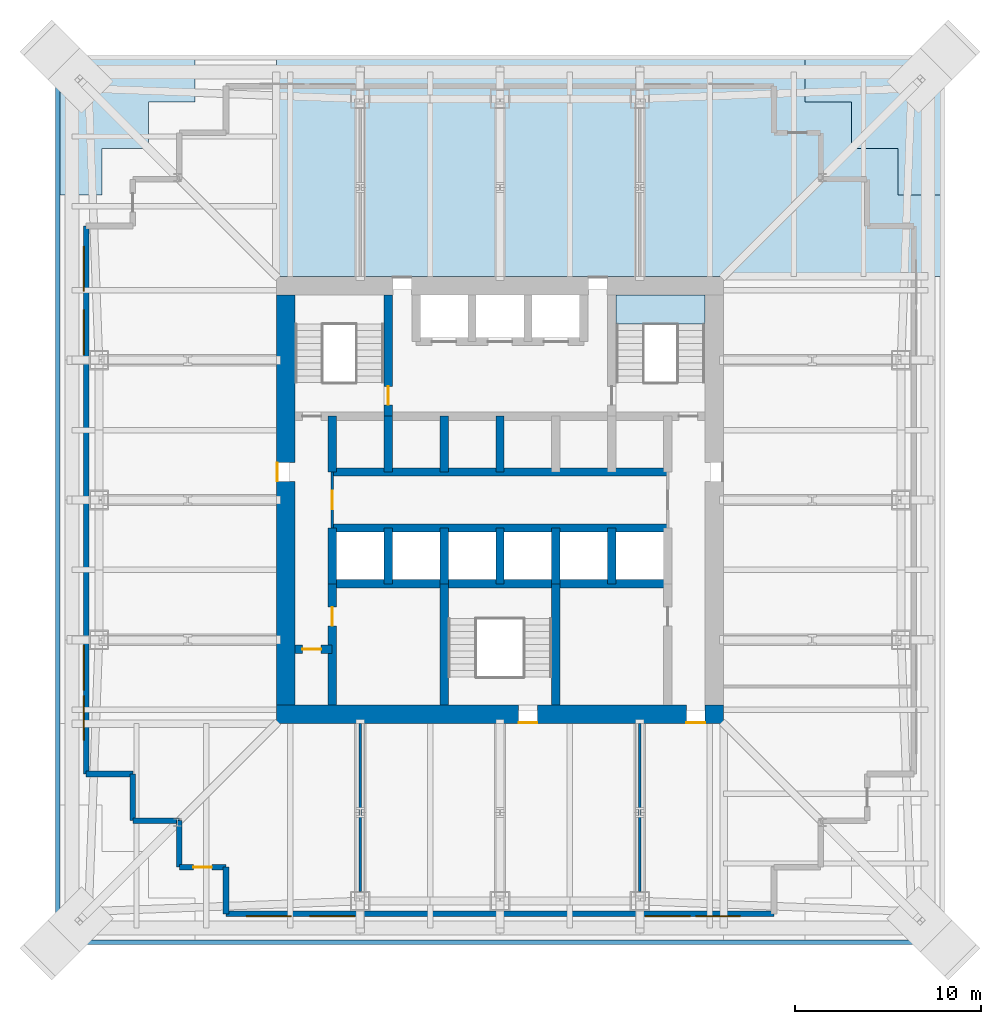
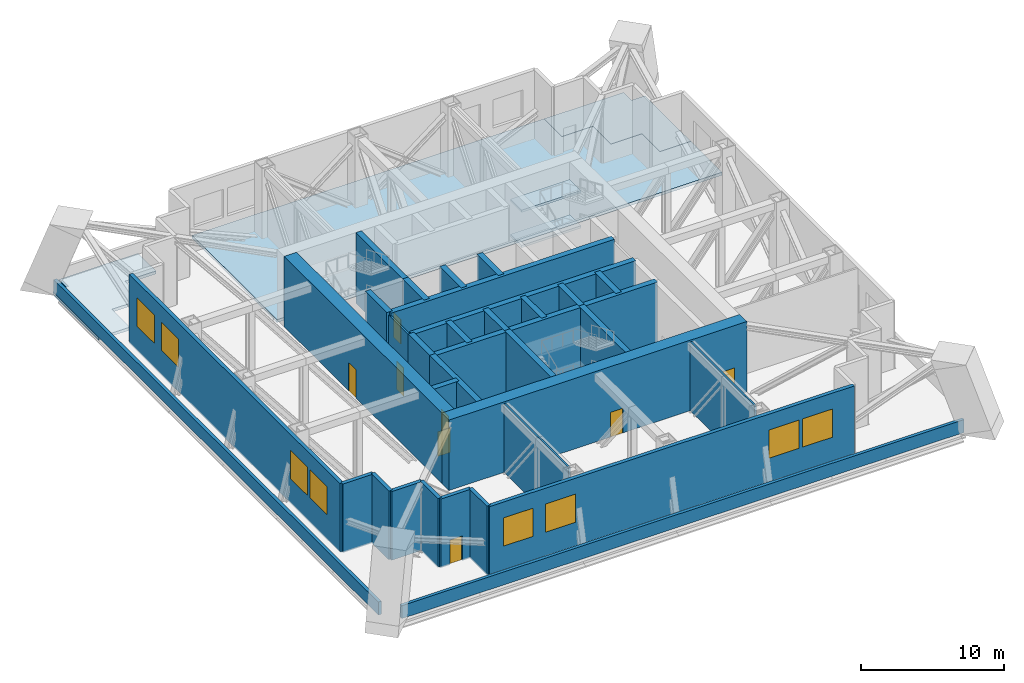
# One storey, part 5 of 8: 33 walls, 8 doors, 8 windows, 5 slabs, 16 openings, 1 element without a shape of its own.
"""IFC4 building model written with IfcOpenShell, lengths in metres."""

from ifc_helpers import new_model, si_unit, direction, frame, frame_2d, origin, place, context, subcontext, project, spatial, polyline, rectangle, outline, extrude, material, layer, layer_set, type_object, element, fill, aggregate, save


model = new_model("IFC4")

# Units and contexts
model_context = context("Model", 3, precision=1e-05, world=origin(), true_north=direction((0.0, 1.0)))
body_context = subcontext(model_context, "Body", "Model", "MODEL_VIEW")
ifc_project = project(units=[si_unit("LENGTHUNIT", "METRE"), si_unit("AREAUNIT", "SQUARE_METRE"), si_unit("VOLUMEUNIT", "CUBIC_METRE"), si_unit("PLANEANGLEUNIT", "RADIAN"), si_unit("MASSUNIT", "GRAM", prefix="KILO")], contexts=[model_context])

# Site, building, storey
site_placement = place(None, origin())
site = spatial("IfcSite", under=ifc_project, at=site_placement, CompositionType="ELEMENT")
building_placement = place(site_placement, origin())
building = spatial("IfcBuilding", under=site, at=building_placement, Name="Tarangal Relay Tower", CompositionType="ELEMENT")
storey_placement = place(building_placement, frame((0.0, 0.0, 171.89990234375)))
storey = spatial("IfcBuildingStorey", under=building, at=storey_placement, Name="L35", CompositionType="ELEMENT", Elevation=171.89990234375)

# Slabs
ifc_material_1 = material(Name="Concrete fc' 35 MPa", Category="concrete")
ifc_layer_1 = layer(ifc_material_1, 0.25)
ifc_layer_set_1 = layer_set([ifc_layer_1], Name="Floor slab 250")
slab_type_1 = type_object("IfcSlabType", Name="Floor slab 250", PredefinedType="FLOOR", material=ifc_layer_set_1)
slab_1_placement = place(storey_placement, frame((0.0, 0.0, -0.25)))
element("IfcSlab", 1, at=slab_1_placement, inside=storey, type_object=slab_type_1, Name="Floor slab FS1 L35 north bay", PredefinedType="FLOOR", context=body_context, shape_type="SweptSolid", body=[
    extrude(outline(polyline([(16.35009765625, 23.85009765625), (16.35009765625, 21.35009765625), (18.85009765625, 21.35009765625), (18.85009765625, 18.85009765625), (21.35009765625, 18.85009765625), (21.35009765625, 16.35009765625), (23.85009765625, 16.35009765625), (23.85009765625, 12.0), (-12.0, 12.0), (-12.0, 23.85009765625), (16.35009765625, 23.85009765625)])), origin(), (0.0, 0.0, 1.0), 0.25),
])
ifc_layer_2 = layer(ifc_material_1, 0.25)
ifc_layer_set_2 = layer_set([ifc_layer_2], Name="Ledge slab 250")
slab_type_2 = type_object("IfcSlabType", Name="Ledge slab 250", PredefinedType="FLOOR", material=ifc_layer_set_2)
slab_2_placement = place(storey_placement, frame((0.0, 0.0, -0.25)))
element("IfcSlab", 2, at=slab_2_placement, inside=storey, type_object=slab_type_2, Name="Corner ledge NE L35", PredefinedType="FLOOR", context=body_context, shape_type="SweptSolid", body=[
    extrude(outline(polyline([(16.35009765625, 23.85009765625), (16.35009765625, 21.35009765625), (18.85009765625, 21.35009765625), (18.85009765625, 18.85009765625), (21.35009765625, 18.85009765625), (21.35009765625, 16.35009765625), (23.85009765625, 16.35009765625), (23.85009765625, 22.75), (22.75, 22.75), (22.75, 23.85009765625), (16.35009765625, 23.85009765625)])), origin(), (0.0, 0.0, 1.0), 0.25),
])
slab_3_placement = place(storey_placement, frame((0.0, 0.0, -0.25)))
element("IfcSlab", 3, at=slab_3_placement, inside=storey, type_object=slab_type_2, Name="Corner ledge NW L35", PredefinedType="FLOOR", context=body_context, shape_type="SweptSolid", body=[
    extrude(outline(polyline([(-23.85009765625, 16.35009765625), (-21.35009765625, 16.35009765625), (-21.35009765625, 18.85009765625), (-18.85009765625, 18.85009765625), (-18.85009765625, 21.35009765625), (-16.35009765625, 21.35009765625), (-16.35009765625, 23.85009765625), (-22.75, 23.85009765625), (-22.75, 22.75), (-23.85009765625, 22.75), (-23.85009765625, 16.35009765625)])), origin(), (0.0, 0.0, 1.0), 0.25),
])

# Stair, slabs
ifc_material_2 = material(Name="Steel ASTM A992 stair flight", Category="steel")
stair_type = type_object("IfcStairType", Name="Core stair 1500", PredefinedType="HALF_TURN_STAIR", material=ifc_material_2)
stair_placement = place(storey_placement, origin())
stair = element("IfcStair", 4, at=stair_placement, inside=storey, type_object=stair_type, Name="Stair ST-B L35", PredefinedType="HALF_TURN_STAIR")
ifc_layer_3 = layer(ifc_material_1, 0.199951171875)
ifc_layer_set_3 = layer_set([ifc_layer_3], Name="Stair landing 200")
slab_type_3 = type_object("IfcSlabType", Name="Stair landing 200", PredefinedType="LANDING", material=ifc_layer_set_3)
slab_4_placement = place(storey_placement, frame((0.0, 0.0, 1.300048828125)))
slab_4 = element("IfcSlab", 5, at=slab_4_placement, type_object=slab_type_3, Name="ST-B landing 2", PredefinedType="LANDING", context=body_context, shape_type="SweptSolid", body=[
    extrude(outline(polyline([(6.22509765625, 9.431884765625), (11.0, 9.431884765625), (11.0, 11.0), (6.22509765625, 11.0), (6.22509765625, 9.431884765625)])), origin(), (0.0, 0.0, 1.0), 0.199951171875),
])
slab_5_placement = place(storey_placement, frame((0.0, 0.0, 4.300048828125)))
slab_5 = element("IfcSlab", 6, at=slab_5_placement, type_object=slab_type_3, Name="ST-B landing 4", PredefinedType="LANDING", context=body_context, shape_type="SweptSolid", body=[
    extrude(outline(polyline([(6.22509765625, 9.431884765625), (11.0, 9.431884765625), (11.0, 11.0), (6.22509765625, 11.0), (6.22509765625, 9.431884765625)])), origin(), (0.0, 0.0, 1.0), 0.199951171875),
])
aggregate(stair, [slab_4, slab_5])

# Walls
ifc_material_3 = material(Name="Concrete fc' 60 MPa", Category="concrete")
ifc_layer_4 = layer(ifc_material_3, 0.449951171875)
ifc_layer_set_4 = layer_set([ifc_layer_4], Name="Core inner wall 450")
wall_type_1 = type_object("IfcWallType", Name="Core inner wall 450", PredefinedType="SHEAR", material=ifc_layer_set_4)
for number, where, z_axis, x_axis, name in (
    (7, (-9.0, 1.5, 0.0), (0.0, 0.0, 1.0), (1.0, 0.0, 0.0), "Core wall Y15 L35"),
    (8, (-9.0, -1.5, 0.0), (0.0, 0.0, 1.0), (1.0, 0.0, 0.0), "Core wall YM15 L35"),
    (9, (-9.0, -4.5, 0.0), (0.0, 0.0, 1.0), (1.0, 0.0, 0.0), "Core wall YM45 L35"),
):
    element("IfcWall", number, at=place(storey_placement, frame(where, z_axis=z_axis, x_axis=x_axis)), inside=storey, type_object=wall_type_1, Name=name, PredefinedType="SHEAR", context=body_context, shape_type="SweptSolid", body=[
        extrude(rectangle(XDim=18.0, YDim=0.449951171875, at=frame_2d((9.0, 0.0))), origin(), (0.0, 0.0, 1.0), 6.0),
    ])

# Wall, opening, door
wall_1_placement = place(storey_placement, frame((-11.0, -8.0, 0.0), z_axis=(0.0, 0.0, 1.0), x_axis=(1.0, 0.0, 0.0)))
wall_1 = element("IfcWall", 10, at=wall_1_placement, inside=storey, type_object=wall_type_1, Name="Core wall YM8 L35", PredefinedType="SHEAR", context=body_context, shape_type="SweptSolid", body=[
    extrude(rectangle(XDim=2.0, YDim=0.449951171875, at=frame_2d((1.0, 0.0))), origin(), (0.0, 0.0, 1.0), 6.0),
])
opening_1_placement = place(wall_1_placement, frame((0.39990234375, 0.0, 0.0)))
opening_1 = element("IfcOpeningElement", 11, at=opening_1_placement, cuts=wall_1, Name="Opening D1", PredefinedType="OPENING", context=body_context, shape_type="SweptSolid", body=[
    extrude(rectangle(XDim=1.0, YDim=2.10009765625, at=frame_2d((0.5, 1.050048828125))), frame((0.0, 0.23486328125, 0.0), z_axis=(0.0, -1.0, 0.0), x_axis=(1.0, 0.0, 0.0)), (0.0, 0.0, 1.0), 0.469970703125),
])
ifc_material_4 = material(Name="Hardwood door", Category="wood")
door_type_1 = type_object("IfcDoorType", Name="WC door 1000 x 2100", OperationType="SINGLE_SWING_LEFT", PredefinedType="DOOR", material=ifc_material_4)
door_1_placement = place(opening_1_placement, origin())
door_1 = element("IfcDoor", 12, at=door_1_placement, inside=storey, type_object=door_type_1, Name="Accessible WC door L35", OperationType="SINGLE_SWING_LEFT", OverallHeight=2.10009765625, OverallWidth=1.0, PredefinedType="DOOR", context=body_context, shape_type="SweptSolid", body=[
    extrude(rectangle(XDim=1.0, YDim=2.10009765625, at=frame_2d((0.5, 1.050048828125))), frame((0.0, 0.02490234375, 0.0), z_axis=(0.0, -1.0, 0.0), x_axis=(1.0, 0.0, 0.0)), (0.0, 0.0, 1.0), 0.050048828125),
])
fill(opening_1, door_1)

# Walls
for number, where, z_axis, x_axis, name in (
    (13, (-9.0, 1.5, 0.0), (0.0, 0.0, 1.0), (0.0, 1.0, 0.0), "Core wall XM9N L35"),
    (14, (-9.0, -4.5, 0.0), (0.0, 0.0, 1.0), (0.0, 1.0, 0.0), "Core wall XM9S L35"),
    (15, (-6.0, 1.5, 0.0), (0.0, 0.0, 1.0), (0.0, 1.0, 0.0), "Core wall XM6N L35"),
    (16, (-3.0, 1.5, 0.0), (0.0, 0.0, 1.0), (0.0, 1.0, 0.0), "Core wall XM3N L35"),
    (17, (0.0, 1.5, 0.0), (0.0, 0.0, 1.0), (0.0, 1.0, 0.0), "Core wall X0N L35"),
    (18, (-6.0, -4.5, 0.0), (0.0, 0.0, 1.0), (0.0, 1.0, 0.0), "Core wall XM6S L35"),
    (19, (-3.0, -4.5, 0.0), (0.0, 0.0, 1.0), (0.0, 1.0, 0.0), "Core wall XM3S L35"),
    (20, (0.0, -4.5, 0.0), (0.0, 0.0, 1.0), (0.0, 1.0, 0.0), "Core wall X0S L35"),
    (21, (3.0, -4.5, 0.0), (0.0, 0.0, 1.0), (0.0, 1.0, 0.0), "Core wall X3S L35"),
    (22, (6.0, -4.5, 0.0), (0.0, 0.0, 1.0), (0.0, 1.0, 0.0), "Core wall X6S L35"),
):
    element("IfcWall", number, at=place(storey_placement, frame(where, z_axis=z_axis, x_axis=x_axis)), inside=storey, type_object=wall_type_1, Name=name, PredefinedType="SHEAR", context=body_context, shape_type="SweptSolid", body=[
        extrude(rectangle(XDim=3.0, YDim=0.449951171875, at=frame_2d((1.5, 0.0))), origin(), (0.0, 0.0, 1.0), 6.0),
    ])

# Wall, opening, door
wall_2_placement = place(storey_placement, frame((-6.0, 4.5, 0.0), z_axis=(0.0, 0.0, 1.0), x_axis=(0.0, 1.0, 0.0)))
wall_2 = element("IfcWall", 23, at=wall_2_placement, inside=storey, type_object=wall_type_1, Name="Core wall XM6 L35", PredefinedType="SHEAR", context=body_context, shape_type="SweptSolid", body=[
    extrude(rectangle(XDim=6.5, YDim=0.449951171875, at=frame_2d((3.25, 0.0))), origin(), (0.0, 0.0, 1.0), 6.0),
])
opening_2_placement = place(wall_2_placement, frame((0.60009765625, 0.0, 0.0)))
opening_2 = element("IfcOpeningElement", 24, at=opening_2_placement, cuts=wall_2, Name="Opening FD1", PredefinedType="OPENING", context=body_context, shape_type="SweptSolid", body=[
    extrude(rectangle(XDim=1.0, YDim=2.10009765625, at=frame_2d((0.5, 1.050048828125))), frame((0.0, 0.23486328125, 0.0), z_axis=(0.0, -1.0, 0.0), x_axis=(1.0, 0.0, 0.0)), (0.0, 0.0, 1.0), 0.469970703125),
])
ifc_material_5 = material(Name="Steel door with hardwood frame", Category="steel")
door_type_2 = type_object("IfcDoorType", Name="Fire door 1000 x 2100", OperationType="SINGLE_SWING_LEFT", PredefinedType="DOOR", material=ifc_material_5)
door_2_placement = place(opening_2_placement, origin())
door_2 = element("IfcDoor", 25, at=door_2_placement, inside=storey, type_object=door_type_2, Name="Stair ST-A door from fire-fighting lobby L35", OperationType="SINGLE_SWING_LEFT", OverallHeight=2.10009765625, OverallWidth=1.0, PredefinedType="DOOR", context=body_context, shape_type="SweptSolid", body=[
    extrude(rectangle(XDim=1.0, YDim=2.10009765625, at=frame_2d((0.5, 1.050048828125))), frame((0.0, 0.02490234375, 0.0), z_axis=(0.0, -1.0, 0.0), x_axis=(1.0, 0.0, 0.0)), (0.0, 0.0, 1.0), 0.050048828125),
])
fill(opening_2, door_2)

wall_3_placement = place(storey_placement, frame((-9.0, -11.0, 0.0), z_axis=(0.0, 0.0, 1.0), x_axis=(0.0, 1.0, 0.0)))
wall_3 = element("IfcWall", 26, at=wall_3_placement, inside=storey, type_object=wall_type_1, Name="Core wall XM9W L35", PredefinedType="SHEAR", context=body_context, shape_type="SweptSolid", body=[
    extrude(rectangle(XDim=6.5, YDim=0.449951171875, at=frame_2d((3.25, 0.0))), origin(), (0.0, 0.0, 1.0), 6.0),
])
opening_3_placement = place(wall_3_placement, frame((4.25, 0.0, 0.0)))
opening_3 = element("IfcOpeningElement", 27, at=opening_3_placement, cuts=wall_3, Name="Opening D1", PredefinedType="OPENING", context=body_context, shape_type="SweptSolid", body=[
    extrude(rectangle(XDim=1.0, YDim=2.10009765625, at=frame_2d((0.5, 1.050048828125))), frame((0.0, 0.23486328125, 0.0), z_axis=(0.0, -1.0, 0.0), x_axis=(1.0, 0.0, 0.0)), (0.0, 0.0, 1.0), 0.469970703125),
])
door_3_placement = place(opening_3_placement, origin())
door_3 = element("IfcDoor", 28, at=door_3_placement, inside=storey, type_object=door_type_1, Name="Male WC door L35", OperationType="SINGLE_SWING_LEFT", OverallHeight=2.10009765625, OverallWidth=1.0, PredefinedType="DOOR", context=body_context, shape_type="SweptSolid", body=[
    extrude(rectangle(XDim=1.0, YDim=2.10009765625, at=frame_2d((0.5, 1.050048828125))), frame((0.0, 0.02490234375, 0.0), z_axis=(0.0, -1.0, 0.0), x_axis=(1.0, 0.0, 0.0)), (0.0, 0.0, 1.0), 0.050048828125),
])
fill(opening_3, door_3)

# Walls
for number, where, z_axis, x_axis, name in (
    (29, (-3.0, -11.0, 0.0), (0.0, 0.0, 1.0), (0.0, 1.0, 0.0), "Core wall XM3W L35"),
    (30, (3.0, -11.0, 0.0), (0.0, 0.0, 1.0), (0.0, 1.0, 0.0), "Core wall X3W L35"),
):
    element("IfcWall", number, at=place(storey_placement, frame(where, z_axis=z_axis, x_axis=x_axis)), inside=storey, type_object=wall_type_1, Name=name, PredefinedType="SHEAR", context=body_context, shape_type="SweptSolid", body=[
        extrude(rectangle(XDim=6.5, YDim=0.449951171875, at=frame_2d((3.25, 0.0))), origin(), (0.0, 0.0, 1.0), 6.0),
    ])

# Wall, openings, doors
ifc_layer_5 = layer(ifc_material_3, 1.0)
ifc_layer_set_5 = layer_set([ifc_layer_5], Name="Core wall 1000")
wall_type_2 = type_object("IfcWallType", Name="Core wall 1000", PredefinedType="SHEAR", material=ifc_layer_set_5)
wall_4_placement = place(storey_placement, frame((12.0, -11.5, 0.0), z_axis=(0.0, 0.0, 1.0), x_axis=(-1.0, 0.0, 0.0)))
wall_4 = element("IfcWall", 31, at=wall_4_placement, inside=storey, type_object=wall_type_2, Name="Core wall S L35", PredefinedType="SHEAR", context=body_context, shape_type="SweptSolid", body=[
    extrude(rectangle(XDim=24.0, YDim=1.0, at=frame_2d((12.0, 0.0))), origin(), (0.0, 0.0, 1.0), 6.0),
])
opening_4_placement = place(wall_4_placement, frame((10.0, 0.0, 0.0)))
opening_4 = element("IfcOpeningElement", 32, at=opening_4_placement, cuts=wall_4, Name="Opening FD1", PredefinedType="OPENING", context=body_context, shape_type="SweptSolid", body=[
    extrude(rectangle(XDim=1.0, YDim=2.10009765625, at=frame_2d((0.5, 1.050048828125))), frame((0.0, 0.510009765625, 0.0), z_axis=(0.0, -1.0, 0.0), x_axis=(1.0, 0.0, 0.0)), (0.0, 0.0, 1.0), 1.02001953125),
])
opening_5_placement = place(wall_4_placement, frame((1.0, 0.0, 0.0)))
opening_5 = element("IfcOpeningElement", 33, at=opening_5_placement, cuts=wall_4, Name="Opening FD3", PredefinedType="OPENING", context=body_context, shape_type="SweptSolid", body=[
    extrude(rectangle(XDim=1.0, YDim=2.39990234375, at=frame_2d((0.5, 1.199951171875))), frame((0.0, 0.510009765625, 0.0), z_axis=(0.0, -1.0, 0.0), x_axis=(1.0, 0.0, 0.0)), (0.0, 0.0, 1.0), 1.02001953125),
])
door_4_placement = place(opening_4_placement, origin())
door_4 = element("IfcDoor", 34, at=door_4_placement, inside=storey, type_object=door_type_2, Name="Stair ST-C door L35", OperationType="SINGLE_SWING_LEFT", OverallHeight=2.10009765625, OverallWidth=1.0, PredefinedType="DOOR", context=body_context, shape_type="SweptSolid", body=[
    extrude(rectangle(XDim=1.0, YDim=2.10009765625, at=frame_2d((0.5, 1.050048828125))), frame((0.0, 0.48486328125, 0.0), z_axis=(0.0, -1.0, 0.0), x_axis=(1.0, 0.0, 0.0)), (0.0, 0.0, 1.0), 0.050048828125),
])
fill(opening_4, door_4)
door_type_3 = type_object("IfcDoorType", Name="Fire door 1000 x 2400 core entry", OperationType="SINGLE_SWING_RIGHT", PredefinedType="DOOR", material=ifc_material_5)
door_5_placement = place(opening_5_placement, origin())
door_5 = element("IfcDoor", 35, at=door_5_placement, inside=storey, type_object=door_type_3, Name="Core entry door south east L35", OperationType="SINGLE_SWING_RIGHT", OverallHeight=2.39990234375, OverallWidth=1.0, PredefinedType="DOOR", context=body_context, shape_type="SweptSolid", body=[
    extrude(rectangle(XDim=1.0, YDim=2.39990234375, at=frame_2d((0.5, 1.199951171875))), frame((0.0, 0.48486328125, 0.0), z_axis=(0.0, -1.0, 0.0), x_axis=(1.0, 0.0, 0.0)), (0.0, 0.0, 1.0), 0.050048828125),
])
fill(opening_5, door_5)

# Wall, opening, door
wall_5_placement = place(storey_placement, frame((-11.5, -11.0, 0.0), z_axis=(0.0, 0.0, 1.0), x_axis=(0.0, 1.0, 0.0)))
wall_5 = element("IfcWall", 36, at=wall_5_placement, inside=storey, type_object=wall_type_2, Name="Core wall W L35", PredefinedType="SHEAR", context=body_context, shape_type="SweptSolid", body=[
    extrude(rectangle(XDim=22.0, YDim=1.0, at=frame_2d((11.0, 0.0))), origin(), (0.0, 0.0, 1.0), 6.0),
])
opening_6_placement = place(wall_5_placement, frame((12.0, 0.0, 0.0)))
opening_6 = element("IfcOpeningElement", 37, at=opening_6_placement, cuts=wall_5, Name="Opening FD3", PredefinedType="OPENING", context=body_context, shape_type="SweptSolid", body=[
    extrude(rectangle(XDim=1.0, YDim=2.39990234375, at=frame_2d((0.5, 1.199951171875))), frame((0.0, 0.510009765625, 0.0), z_axis=(0.0, -1.0, 0.0), x_axis=(1.0, 0.0, 0.0)), (0.0, 0.0, 1.0), 1.02001953125),
])
door_6_placement = place(opening_6_placement, origin())
door_6 = element("IfcDoor", 38, at=door_6_placement, inside=storey, type_object=door_type_3, Name="Core entry door west L35", OperationType="SINGLE_SWING_RIGHT", OverallHeight=2.39990234375, OverallWidth=1.0, PredefinedType="DOOR", context=body_context, shape_type="SweptSolid", body=[
    extrude(rectangle(XDim=1.0, YDim=2.39990234375, at=frame_2d((0.5, 1.199951171875))), frame((0.0, 0.48486328125, 0.0), z_axis=(0.0, -1.0, 0.0), x_axis=(1.0, 0.0, 0.0)), (0.0, 0.0, 1.0), 0.050048828125),
])
fill(opening_6, door_6)

# Wall, openings, windows
ifc_material_6 = material(Name="Insulated precast concrete fc' 40 MPa", Category="concrete")
ifc_layer_6 = layer(ifc_material_6, 0.300048828125)
ifc_layer_set_6 = layer_set([ifc_layer_6], Name="Insulated precast concrete fc' 40 MPa")
wall_type_3 = type_object("IfcWallType", Name="Facade wall precast 300", PredefinedType="SOLIDWALL", material=ifc_layer_set_6)
wall_6_placement = place(storey_placement, frame((14.699951171875, -22.199951171875, 0.0), z_axis=(0.0, 0.0, 1.0), x_axis=(-1.0, 0.0, 0.0)))
wall_6 = element("IfcWall", 39, at=wall_6_placement, inside=storey, type_object=wall_type_3, Name="Facade wall S facade L35", PredefinedType="SOLIDWALL", context=body_context, shape_type="SweptSolid", body=[
    extrude(rectangle(XDim=29.39990234375, YDim=0.300048828125, at=frame_2d((14.699951171875, 0.0))), origin(), (0.0, 0.0, 1.0), 5.85009765625),
])
opening_7_placement = place(wall_6_placement, frame((1.800048828125, 0.0, 2.10009765625)))
opening_7 = element("IfcOpeningElement", 40, at=opening_7_placement, cuts=wall_6, Name="Opening LV1", PredefinedType="OPENING", context=body_context, shape_type="SweptSolid", body=[
    extrude(rectangle(XDim=2.39990234375, YDim=2.39990234375, at=frame_2d((1.199951171875, 1.199951171875))), frame((0.0, 0.159912109375, 0.0), z_axis=(0.0, -1.0, 0.0), x_axis=(1.0, 0.0, 0.0)), (0.0, 0.0, 1.0), 0.320068359375),
])
opening_8_placement = place(wall_6_placement, frame((4.5, 0.0, 2.10009765625)))
opening_8 = element("IfcOpeningElement", 41, at=opening_8_placement, cuts=wall_6, Name="Opening LV1", PredefinedType="OPENING", context=body_context, shape_type="SweptSolid", body=[
    extrude(rectangle(XDim=2.39990234375, YDim=2.39990234375, at=frame_2d((1.199951171875, 1.199951171875))), frame((0.0, 0.159912109375, 0.0), z_axis=(0.0, -1.0, 0.0), x_axis=(1.0, 0.0, 0.0)), (0.0, 0.0, 1.0), 0.320068359375),
])
opening_9_placement = place(wall_6_placement, frame((22.5, 0.0, 2.10009765625)))
opening_9 = element("IfcOpeningElement", 42, at=opening_9_placement, cuts=wall_6, Name="Opening LV1", PredefinedType="OPENING", context=body_context, shape_type="SweptSolid", body=[
    extrude(rectangle(XDim=2.39990234375, YDim=2.39990234375, at=frame_2d((1.199951171875, 1.199951171875))), frame((0.0, 0.159912109375, 0.0), z_axis=(0.0, -1.0, 0.0), x_axis=(1.0, 0.0, 0.0)), (0.0, 0.0, 1.0), 0.320068359375),
])
opening_10_placement = place(wall_6_placement, frame((25.89990234375, 0.0, 2.10009765625)))
opening_10 = element("IfcOpeningElement", 43, at=opening_10_placement, cuts=wall_6, Name="Opening LV1", PredefinedType="OPENING", context=body_context, shape_type="SweptSolid", body=[
    extrude(rectangle(XDim=2.39990234375, YDim=2.39990234375, at=frame_2d((1.199951171875, 1.199951171875))), frame((0.0, 0.159912109375, 0.0), z_axis=(0.0, -1.0, 0.0), x_axis=(1.0, 0.0, 0.0)), (0.0, 0.0, 1.0), 0.320068359375),
])
ifc_material_7 = material(Name="Black aluminium weather louvre", Category="aluminium")
window_type = type_object("IfcWindowType", Name="Louvre 2400 x 2400", PartitioningType="SINGLE_PANEL", PredefinedType="WINDOW", material=ifc_material_7)
window_1_placement = place(opening_7_placement, origin())
window_1 = element("IfcWindow", 44, at=window_1_placement, inside=storey, type_object=window_type, Name="Louvre LV1 S facade L35", OverallHeight=2.39990234375, OverallWidth=2.39990234375, PartitioningType="SINGLE_PANEL", PredefinedType="WINDOW", context=body_context, shape_type="SweptSolid", body=[
    extrude(rectangle(XDim=2.39990234375, YDim=2.39990234375, at=frame_2d((1.199951171875, 1.199951171875))), frame((0.0, 0.150146484375, 0.0), z_axis=(0.0, -1.0, 0.0), x_axis=(1.0, 0.0, 0.0)), (0.0, 0.0, 1.0), 0.06005859375),
])
fill(opening_7, window_1)
window_2_placement = place(opening_8_placement, origin())
window_2 = element("IfcWindow", 45, at=window_2_placement, inside=storey, type_object=window_type, Name="Louvre LV1 S facade L35", OverallHeight=2.39990234375, OverallWidth=2.39990234375, PartitioningType="SINGLE_PANEL", PredefinedType="WINDOW", context=body_context, shape_type="SweptSolid", body=[
    extrude(rectangle(XDim=2.39990234375, YDim=2.39990234375, at=frame_2d((1.199951171875, 1.199951171875))), frame((0.0, 0.150146484375, 0.0), z_axis=(0.0, -1.0, 0.0), x_axis=(1.0, 0.0, 0.0)), (0.0, 0.0, 1.0), 0.06005859375),
])
fill(opening_8, window_2)
window_3_placement = place(opening_9_placement, origin())
window_3 = element("IfcWindow", 46, at=window_3_placement, inside=storey, type_object=window_type, Name="Louvre LV1 S facade L35", OverallHeight=2.39990234375, OverallWidth=2.39990234375, PartitioningType="SINGLE_PANEL", PredefinedType="WINDOW", context=body_context, shape_type="SweptSolid", body=[
    extrude(rectangle(XDim=2.39990234375, YDim=2.39990234375, at=frame_2d((1.199951171875, 1.199951171875))), frame((0.0, 0.150146484375, 0.0), z_axis=(0.0, -1.0, 0.0), x_axis=(1.0, 0.0, 0.0)), (0.0, 0.0, 1.0), 0.06005859375),
])
fill(opening_9, window_3)
window_4_placement = place(opening_10_placement, origin())
window_4 = element("IfcWindow", 47, at=window_4_placement, inside=storey, type_object=window_type, Name="Louvre LV1 S facade L35", OverallHeight=2.39990234375, OverallWidth=2.39990234375, PartitioningType="SINGLE_PANEL", PredefinedType="WINDOW", context=body_context, shape_type="SweptSolid", body=[
    extrude(rectangle(XDim=2.39990234375, YDim=2.39990234375, at=frame_2d((1.199951171875, 1.199951171875))), frame((0.0, 0.150146484375, 0.0), z_axis=(0.0, -1.0, 0.0), x_axis=(1.0, 0.0, 0.0)), (0.0, 0.0, 1.0), 0.06005859375),
])
fill(opening_10, window_4)

# Wall
wall_7_placement = place(storey_placement, frame((-14.699951171875, -22.199951171875, 0.0), z_axis=(0.0, 0.0, 1.0), x_axis=(0.0, 1.0, 0.0)))
element("IfcWall", 48, at=wall_7_placement, inside=storey, type_object=wall_type_3, Name="Facade wall S facade L35", PredefinedType="SOLIDWALL", context=body_context, shape_type="SweptSolid", body=[
    extrude(rectangle(XDim=2.5, YDim=0.300048828125, at=frame_2d((1.25, 0.0))), origin(), (0.0, 0.0, 1.0), 5.85009765625),
])

# Wall, opening, door
wall_8_placement = place(storey_placement, frame((-14.699951171875, -19.699951171875, 0.0), z_axis=(0.0, 0.0, 1.0), x_axis=(-1.0, 0.0, 0.0)))
wall_8 = element("IfcWall", 49, at=wall_8_placement, inside=storey, type_object=wall_type_3, Name="Facade wall S facade L35", PredefinedType="SOLIDWALL", context=body_context, shape_type="SweptSolid", body=[
    extrude(rectangle(XDim=2.5, YDim=0.300048828125, at=frame_2d((1.25, 0.0))), origin(), (0.0, 0.0, 1.0), 5.85009765625),
])
opening_11_placement = place(wall_8_placement, frame((0.75, 0.0, 0.0)))
opening_11 = element("IfcOpeningElement", 50, at=opening_11_placement, cuts=wall_8, Name="Opening MD1", PredefinedType="OPENING", context=body_context, shape_type="SweptSolid", body=[
    extrude(rectangle(XDim=1.0, YDim=2.10009765625, at=frame_2d((0.5, 1.050048828125))), frame((0.0, 0.159912109375, 0.0), z_axis=(0.0, -1.0, 0.0), x_axis=(1.0, 0.0, 0.0)), (0.0, 0.0, 1.0), 0.320068359375),
])
door_type_4 = type_object("IfcDoorType", Name="Maintenance access door 1000 x 2100", OperationType="SINGLE_SWING_RIGHT", PredefinedType="DOOR", material=ifc_material_5)
door_7_placement = place(opening_11_placement, origin())
door_7 = element("IfcDoor", 51, at=door_7_placement, inside=storey, type_object=door_type_4, Name="Maintenance access door MD1 SW L35", OperationType="SINGLE_SWING_RIGHT", OverallHeight=2.10009765625, OverallWidth=1.0, PredefinedType="DOOR", context=body_context, shape_type="SweptSolid", body=[
    extrude(rectangle(XDim=1.0, YDim=2.10009765625, at=frame_2d((0.5, 1.050048828125))), frame((0.0, 0.02490234375, 0.0), z_axis=(0.0, -1.0, 0.0), x_axis=(1.0, 0.0, 0.0)), (0.0, 0.0, 1.0), 0.050048828125),
])
fill(opening_11, door_7)

# Walls
for number, where, z_axis, x_axis, name in (
    (52, (-17.199951171875, -19.699951171875, 0.0), (0.0, 0.0, 1.0), (0.0, 1.0, 0.0), "Facade wall S facade L35"),
    (53, (-17.199951171875, -17.199951171875, 0.0), (0.0, 0.0, 1.0), (-1.0, 0.0, 0.0), "Facade wall S facade L35"),
    (54, (-19.699951171875, -17.199951171875, 0.0), (0.0, 0.0, 1.0), (0.0, 1.0, 0.0), "Facade wall S facade L35"),
    (55, (-19.699951171875, -14.699951171875, 0.0), (0.0, 0.0, 1.0), (-1.0, 0.0, 0.0), "Facade wall S facade L35"),
):
    element("IfcWall", number, at=place(storey_placement, frame(where, z_axis=z_axis, x_axis=x_axis)), inside=storey, type_object=wall_type_3, Name=name, PredefinedType="SOLIDWALL", context=body_context, shape_type="SweptSolid", body=[
        extrude(rectangle(XDim=2.5, YDim=0.300048828125, at=frame_2d((1.25, 0.0))), origin(), (0.0, 0.0, 1.0), 5.85009765625),
    ])

# Wall, openings, windows
wall_9_placement = place(storey_placement, frame((-22.199951171875, -14.699951171875, 0.0), z_axis=(0.0, 0.0, 1.0), x_axis=(0.0, 1.0, 0.0)))
wall_9 = element("IfcWall", 56, at=wall_9_placement, inside=storey, type_object=wall_type_3, Name="Facade wall W facade L35", PredefinedType="SOLIDWALL", context=body_context, shape_type="SweptSolid", body=[
    extrude(rectangle(XDim=29.39990234375, YDim=0.300048828125, at=frame_2d((14.699951171875, 0.0))), origin(), (0.0, 0.0, 1.0), 5.85009765625),
])
opening_12_placement = place(wall_9_placement, frame((1.800048828125, 0.0, 2.10009765625)))
opening_12 = element("IfcOpeningElement", 57, at=opening_12_placement, cuts=wall_9, Name="Opening LV1", PredefinedType="OPENING", context=body_context, shape_type="SweptSolid", body=[
    extrude(rectangle(XDim=2.39990234375, YDim=2.39990234375, at=frame_2d((1.199951171875, 1.199951171875))), frame((0.0, 0.159912109375, 0.0), z_axis=(0.0, -1.0, 0.0), x_axis=(1.0, 0.0, 0.0)), (0.0, 0.0, 1.0), 0.320068359375),
])
opening_13_placement = place(wall_9_placement, frame((4.5, 0.0, 2.10009765625)))
opening_13 = element("IfcOpeningElement", 58, at=opening_13_placement, cuts=wall_9, Name="Opening LV1", PredefinedType="OPENING", context=body_context, shape_type="SweptSolid", body=[
    extrude(rectangle(XDim=2.39990234375, YDim=2.39990234375, at=frame_2d((1.199951171875, 1.199951171875))), frame((0.0, 0.159912109375, 0.0), z_axis=(0.0, -1.0, 0.0), x_axis=(1.0, 0.0, 0.0)), (0.0, 0.0, 1.0), 0.320068359375),
])
opening_14_placement = place(wall_9_placement, frame((22.5, 0.0, 2.10009765625)))
opening_14 = element("IfcOpeningElement", 59, at=opening_14_placement, cuts=wall_9, Name="Opening LV1", PredefinedType="OPENING", context=body_context, shape_type="SweptSolid", body=[
    extrude(rectangle(XDim=2.39990234375, YDim=2.39990234375, at=frame_2d((1.199951171875, 1.199951171875))), frame((0.0, 0.159912109375, 0.0), z_axis=(0.0, -1.0, 0.0), x_axis=(1.0, 0.0, 0.0)), (0.0, 0.0, 1.0), 0.320068359375),
])
opening_15_placement = place(wall_9_placement, frame((25.89990234375, 0.0, 2.10009765625)))
opening_15 = element("IfcOpeningElement", 60, at=opening_15_placement, cuts=wall_9, Name="Opening LV1", PredefinedType="OPENING", context=body_context, shape_type="SweptSolid", body=[
    extrude(rectangle(XDim=2.39990234375, YDim=2.39990234375, at=frame_2d((1.199951171875, 1.199951171875))), frame((0.0, 0.159912109375, 0.0), z_axis=(0.0, -1.0, 0.0), x_axis=(1.0, 0.0, 0.0)), (0.0, 0.0, 1.0), 0.320068359375),
])
window_5_placement = place(opening_12_placement, origin())
window_5 = element("IfcWindow", 61, at=window_5_placement, inside=storey, type_object=window_type, Name="Louvre LV1 W facade L35", OverallHeight=2.39990234375, OverallWidth=2.39990234375, PartitioningType="SINGLE_PANEL", PredefinedType="WINDOW", context=body_context, shape_type="SweptSolid", body=[
    extrude(rectangle(XDim=2.39990234375, YDim=2.39990234375, at=frame_2d((1.199951171875, 1.199951171875))), frame((0.0, 0.150146484375, 0.0), z_axis=(0.0, -1.0, 0.0), x_axis=(1.0, 0.0, 0.0)), (0.0, 0.0, 1.0), 0.06005859375),
])
fill(opening_12, window_5)
window_6_placement = place(opening_13_placement, origin())
window_6 = element("IfcWindow", 62, at=window_6_placement, inside=storey, type_object=window_type, Name="Louvre LV1 W facade L35", OverallHeight=2.39990234375, OverallWidth=2.39990234375, PartitioningType="SINGLE_PANEL", PredefinedType="WINDOW", context=body_context, shape_type="SweptSolid", body=[
    extrude(rectangle(XDim=2.39990234375, YDim=2.39990234375, at=frame_2d((1.199951171875, 1.199951171875))), frame((0.0, 0.150146484375, 0.0), z_axis=(0.0, -1.0, 0.0), x_axis=(1.0, 0.0, 0.0)), (0.0, 0.0, 1.0), 0.06005859375),
])
fill(opening_13, window_6)
window_7_placement = place(opening_14_placement, origin())
window_7 = element("IfcWindow", 63, at=window_7_placement, inside=storey, type_object=window_type, Name="Louvre LV1 W facade L35", OverallHeight=2.39990234375, OverallWidth=2.39990234375, PartitioningType="SINGLE_PANEL", PredefinedType="WINDOW", context=body_context, shape_type="SweptSolid", body=[
    extrude(rectangle(XDim=2.39990234375, YDim=2.39990234375, at=frame_2d((1.199951171875, 1.199951171875))), frame((0.0, 0.150146484375, 0.0), z_axis=(0.0, -1.0, 0.0), x_axis=(1.0, 0.0, 0.0)), (0.0, 0.0, 1.0), 0.06005859375),
])
fill(opening_14, window_7)
window_8_placement = place(opening_15_placement, origin())
window_8 = element("IfcWindow", 64, at=window_8_placement, inside=storey, type_object=window_type, Name="Louvre LV1 W facade L35", OverallHeight=2.39990234375, OverallWidth=2.39990234375, PartitioningType="SINGLE_PANEL", PredefinedType="WINDOW", context=body_context, shape_type="SweptSolid", body=[
    extrude(rectangle(XDim=2.39990234375, YDim=2.39990234375, at=frame_2d((1.199951171875, 1.199951171875))), frame((0.0, 0.150146484375, 0.0), z_axis=(0.0, -1.0, 0.0), x_axis=(1.0, 0.0, 0.0)), (0.0, 0.0, 1.0), 0.06005859375),
])
fill(opening_15, window_8)

# Walls
ifc_material_8 = material(Name="Concrete parapet with metal coping", Category="concrete")
ifc_layer_7 = layer(ifc_material_8, 0.25)
ifc_layer_set_7 = layer_set([ifc_layer_7], Name="Parapet 250")
wall_type_4 = type_object("IfcWallType", Name="Parapet 250", PredefinedType="PARAPET", material=ifc_layer_set_7)
for number, where, z_axis, x_axis, name in (
    (65, (22.64990234375, -23.72509765625, 0.0), (0.0, 0.0, 1.0), (-1.0, 0.0, 0.0), "Ledge parapet PP1 L35"),
    (66, (-23.72509765625, -22.64990234375, 0.0), (0.0, 0.0, 1.0), (0.0, 1.0, 0.0), "Ledge parapet PP1 L35"),
):
    element("IfcWall", number, at=place(storey_placement, frame(where, z_axis=z_axis, x_axis=x_axis)), inside=storey, type_object=wall_type_4, Name=name, PredefinedType="PARAPET", context=body_context, shape_type="SweptSolid", body=[
        extrude(rectangle(XDim=45.2998046875, YDim=0.25, at=frame_2d((22.64990234375, 0.0))), origin(), (0.0, 0.0, 1.0), 1.10009765625),
    ])
ifc_material_9 = material(Name="Gypsum board on steel studs", Category="steel")
ifc_layer_8 = layer(ifc_material_9, 0.14990234375)
ifc_layer_set_8 = layer_set([ifc_layer_8], Name="Partition 150")
wall_type_5 = type_object("IfcWallType", Name="Partition 150", PredefinedType="PARTITIONING", material=ifc_layer_set_8)
for number, where, z_axis, x_axis, name in (
    (67, (-7.5, -12.0, 0.0), (0.0, 0.0, 1.0), (0.0, -1.0, 0.0), "Partition PT1 L35"),
    (68, (7.5, -12.0, 0.0), (0.0, 0.0, 1.0), (0.0, -1.0, 0.0), "Partition PT1 L35"),
):
    element("IfcWall", number, at=place(storey_placement, frame(where, z_axis=z_axis, x_axis=x_axis)), inside=storey, type_object=wall_type_5, Name=name, PredefinedType="PARTITIONING", context=body_context, shape_type="SweptSolid", body=[
        extrude(rectangle(XDim=8.989990234375, YDim=0.14990234375, at=frame_2d((4.4951171875, 0.0))), origin(), (0.0, 0.0, 1.0), 5.85009765625),
    ])

# Wall, opening, door
wall_10_placement = place(storey_placement, frame((-9.0, -1.5, 0.0), z_axis=(0.0, 0.0, 1.0), x_axis=(0.0, 1.0, 0.0)))
wall_10 = element("IfcWall", 69, at=wall_10_placement, inside=storey, type_object=wall_type_5, Name="Partition PT1 L35", PredefinedType="PARTITIONING", context=body_context, shape_type="SweptSolid", body=[
    extrude(rectangle(XDim=3.0, YDim=0.14990234375, at=frame_2d((1.5, 0.0))), origin(), (0.0, 0.0, 1.0), 5.75),
])
opening_16_placement = place(wall_10_placement, frame((1.0, 0.0, 0.0)))
opening_16 = element("IfcOpeningElement", 70, at=opening_16_placement, cuts=wall_10, Name="Opening FD3", PredefinedType="OPENING", context=body_context, shape_type="SweptSolid", body=[
    extrude(rectangle(XDim=1.0, YDim=2.39990234375, at=frame_2d((0.5, 1.199951171875))), frame((0.0, 0.0849609375, 0.0), z_axis=(0.0, -1.0, 0.0), x_axis=(1.0, 0.0, 0.0)), (0.0, 0.0, 1.0), 0.169921875),
])
door_8_placement = place(opening_16_placement, origin())
door_8 = element("IfcDoor", 71, at=door_8_placement, inside=storey, type_object=door_type_3, Name="Lift lobby door FD3 to the west corridor L35", OperationType="SINGLE_SWING_RIGHT", OverallHeight=2.39990234375, OverallWidth=1.0, PredefinedType="DOOR", context=body_context, shape_type="SweptSolid", body=[
    extrude(rectangle(XDim=1.0, YDim=2.39990234375, at=frame_2d((0.5, 1.199951171875))), frame((0.0, 0.02490234375, 0.0), z_axis=(0.0, -1.0, 0.0), x_axis=(1.0, 0.0, 0.0)), (0.0, 0.0, 1.0), 0.050048828125),
])
fill(opening_16, door_8)

save(model, "model.ifc")
